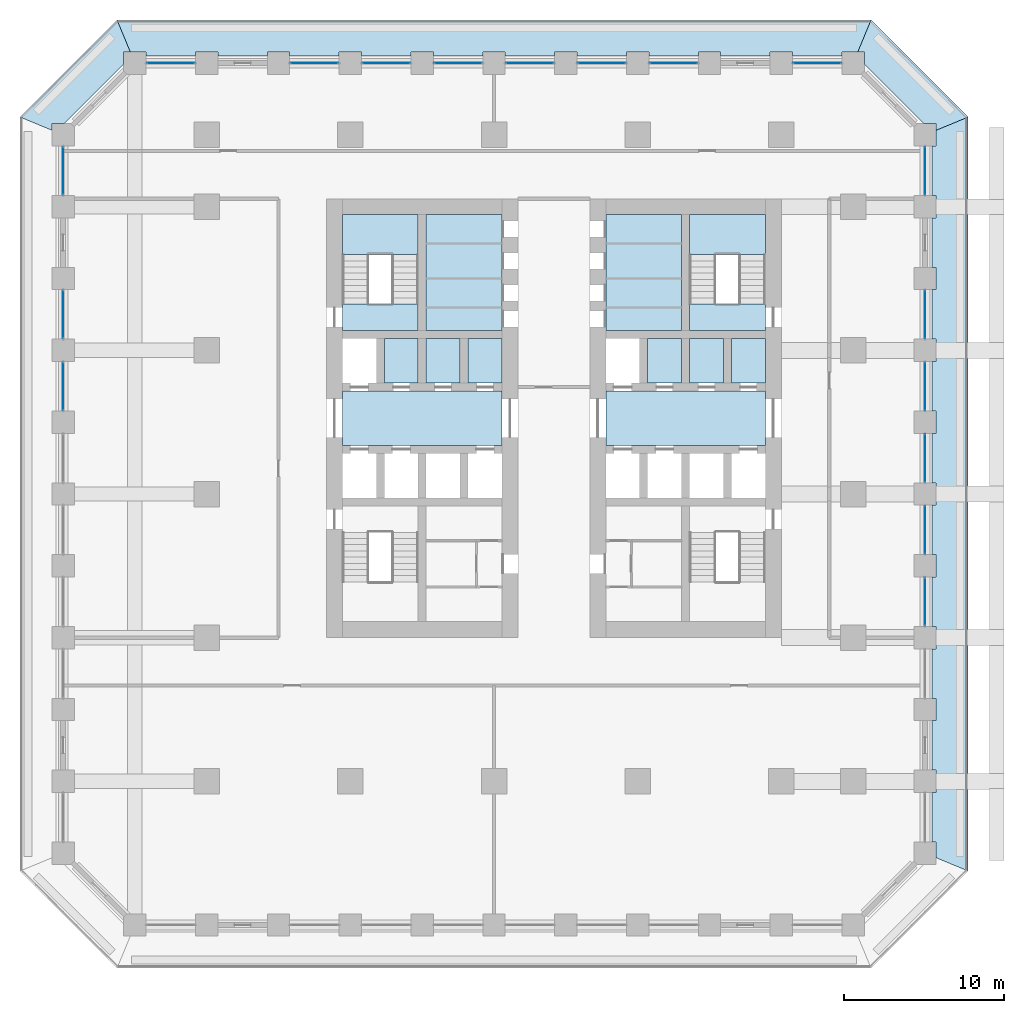
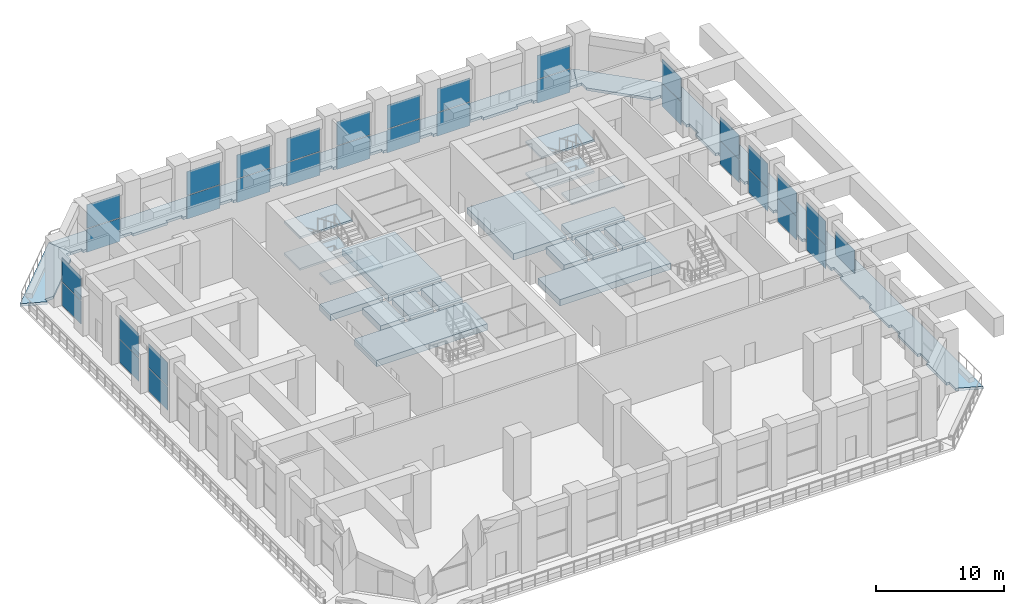
# One storey, part 11 of 21: 33 plates, 22 slabs, 19 elements without a shape of their own.
"""IFC4 building model written with IfcOpenShell, lengths in metres."""

import ifcopenshell
import ifcopenshell.guid

model = None  # the IFC model being written
_history = None  # IfcOwnerHistory: only IFC2X3 demands one
_inside = {}  # id of a spatial element -> (the spatial element, [elements in it])
_under = {}  # id of a project, library or spatial element -> (it, [spatial elements below it])
_declared = {}  # id of a project -> (the project, [libraries it declares])
_typed = {}  # id of a type object -> (the type object, [elements of that type])
_made_of = {}  # id of a material, layer set ... -> (it, [elements and type objects made of it])


def new_model(schema):
    """Start an empty IFC model of exactly this schema.

    Asked for "IFC4X3", IfcOpenShell would pick the latest addendum, in which some entities
    have other attributes; the version numbers below select the first issue.
    IFC2X3 requires an IfcOwnerHistory on every rooted entity: one is made here for all.
    """
    global model, _history
    if schema == "IFC4X3":
        model = ifcopenshell.file(schema_version=(4, 3, 0, 0))
    else:
        model = ifcopenshell.file(schema=schema)
    _inside.clear()
    _under.clear()
    _declared.clear()
    _typed.clear()
    _made_of.clear()
    _history = None
    if model.schema == "IFC2X3":
        org = make("IfcOrganization", Name="unknown")
        user = make(
            "IfcPersonAndOrganization",
            ThePerson=make("IfcPerson", FamilyName="unknown"),
            TheOrganization=org,
        )
        app = make(
            "IfcApplication",
            ApplicationDeveloper=org,
            Version="unknown",
            ApplicationFullName="unknown",
            ApplicationIdentifier="unknown",
        )
        _history = make(
            "IfcOwnerHistory",
            OwningUser=user,
            OwningApplication=app,
            ChangeAction="ADDED",
            CreationDate=0,
        )
    return model


def make(cls, **values):
    """One entity of the class cls with the attributes given. An attribute that is None is left unset."""
    return model.create_entity(
        cls, **{name: value for name, value in values.items() if value is not None}
    )


def rooted(cls, **values):
    """An entity with a GlobalId (a new one), such as an element, a storey or a relation."""
    return make(cls, GlobalId=ifcopenshell.guid.new(), OwnerHistory=_history, **values)


def si_unit(unit_type, name, prefix=None):
    """IfcSIUnit, for example si_unit("LENGTHUNIT", "METRE", prefix="MILLI")."""
    return make("IfcSIUnit", UnitType=unit_type, Prefix=prefix, Name=name)


def assignment(units):
    """IfcUnitAssignment: the units of a project."""
    return None if units is None else make("IfcUnitAssignment", Units=units)


def point(xyz):
    """IfcCartesianPoint."""
    return None if xyz is None else make("IfcCartesianPoint", Coordinates=xyz)


def direction(xyz):
    """IfcDirection."""
    return None if xyz is None else make("IfcDirection", DirectionRatios=xyz)


def frame(location, z_axis=None, x_axis=None):
    """IfcAxis2Placement3D, a coordinate frame: its origin and axes. An axis left out is left unset."""
    return make(
        "IfcAxis2Placement3D",
        Location=point(location),
        Axis=direction(z_axis),
        RefDirection=direction(x_axis),
    )


def frame_2d(location, x_axis=None):
    """IfcAxis2Placement2D, a coordinate frame in the plane: its origin and x axis."""
    return make(
        "IfcAxis2Placement2D", Location=point(location), RefDirection=direction(x_axis)
    )


def origin():
    """The frame at (0, 0, 0) with its axes left unset."""
    return frame((0.0, 0.0, 0.0))


def origin_2d():
    """The frame at (0, 0) in the plane with its x axis left unset."""
    return frame_2d((0.0, 0.0))


def place(relative_to, where):
    """IfcLocalPlacement: puts the frame where relative to a parent placement (None: the world)."""
    return make(
        "IfcLocalPlacement", PlacementRelTo=relative_to, RelativePlacement=where
    )


def context(
    kind, dimensions, precision=None, world=None, true_north=None, identifier=None
):
    """IfcGeometricRepresentationContext, for example the 3D "Model" context."""
    return make(
        "IfcGeometricRepresentationContext",
        ContextIdentifier=identifier,
        ContextType=kind,
        CoordinateSpaceDimension=dimensions,
        Precision=precision,
        WorldCoordinateSystem=world,
        TrueNorth=true_north,
    )


def subcontext(parent, identifier, kind, view, scale=None):
    """IfcGeometricRepresentationSubContext, for example "Body" below "Model"."""
    return make(
        "IfcGeometricRepresentationSubContext",
        ContextIdentifier=identifier,
        ContextType=kind,
        ParentContext=parent,
        TargetScale=scale,
        TargetView=view,
    )


def project(units=None, contexts=None):
    """IfcProject with its units and contexts."""
    return rooted(
        "IfcProject",
        Name="project",
        RepresentationContexts=contexts,
        UnitsInContext=assignment(units),
    )


def spatial(cls, under=None, at=None, **own):
    """A site, building, storey or space (cls), placed at a placement, below another one or the project."""
    s = rooted(cls, ObjectPlacement=at, **own)
    if under is not None:
        _under.setdefault(under.id(), (under, []))[1].append(s)
    return s


def polyline(points):
    """IfcPolyline through the points."""
    return make("IfcPolyline", Points=[point(p) for p in points])


def profile(cls, at=None, kind="AREA", **sizes):
    """A parametric profile (cls). Its sizes go by their IFC names, for example OverallWidth=200.0."""
    return make(cls, ProfileType=kind, Position=at, **sizes)


def rectangle(**sizes):
    """IfcRectangleProfileDef."""
    return profile("IfcRectangleProfileDef", **sizes)


def outline(outer, holes=None, kind="AREA"):
    """IfcArbitraryClosedProfileDef: a profile drawn as a closed curve; with holes, ...WithVoids."""
    if holes is None:
        return make("IfcArbitraryClosedProfileDef", ProfileType=kind, OuterCurve=outer)
    return make(
        "IfcArbitraryProfileDefWithVoids",
        ProfileType=kind,
        OuterCurve=outer,
        InnerCurves=holes,
    )


def extrude(swept, where, along, depth):
    """IfcExtrudedAreaSolid: the profile swept, set in the frame where, extruded along a direction by depth."""
    return make(
        "IfcExtrudedAreaSolid",
        SweptArea=swept,
        Position=where,
        ExtrudedDirection=direction(along),
        Depth=depth,
    )


def shape(context_of_items, identifier, shape_type, items):
    """IfcShapeRepresentation: the items that make up one representation, for example the "Body"."""
    return make(
        "IfcShapeRepresentation",
        ContextOfItems=context_of_items,
        RepresentationIdentifier=identifier,
        RepresentationType=shape_type,
        Items=items,
    )


def material(Name=None, Category=None):
    """IfcMaterial."""
    return make("IfcMaterial", Name=Name, Category=Category)


def layer(
    of_material, thickness, ventilated=None, Name=None, Category=None, Priority=None
):
    """IfcMaterialLayer: one layer of a wall or slab, of a material (None: an air gap)."""
    return make(
        "IfcMaterialLayer",
        Material=of_material,
        LayerThickness=thickness,
        IsVentilated=ventilated,
        Name=Name,
        Category=Category,
        Priority=Priority,
    )


def layer_set(layers, Name=None):
    """IfcMaterialLayerSet."""
    return make("IfcMaterialLayerSet", MaterialLayers=layers, LayerSetName=Name)


def made_of(thing, what):
    """Note that an element or type object is made of a material, layer set ...; save() writes the relation."""
    if what is not None:
        _made_of.setdefault(what.id(), (what, []))[1].append(thing)
    return thing


def type_object(cls, material=None, **own):
    """A type object (cls), such as IfcWallType, which elements share."""
    return made_of(rooted(cls, **own), material)


def element(
    cls,
    number,
    at=None,
    inside=None,
    cuts=None,
    type_object=None,
    material=None,
    context=None,
    identifier="Body",
    shape_type=None,
    held_by="IfcProductDefinitionShape",
    body=None,
    shapes=None,
    **own,
):
    """One element of the class cls, such as IfcWall. Its Tag is "e" and its number.

    at: its placement. inside: the storey or other place that contains it. cuts: it is an
    opening in that element (IfcRelVoidsElement). A single representation is given by context,
    identifier, shape_type and body (its items); several are given by shapes. held_by: the class
    of the entity that holds the representations. save() writes the other relations.
    """
    e = rooted(cls, Tag="e%d" % number, ObjectPlacement=at, **own)
    if body is not None:
        shapes = [shape(context, identifier, shape_type, body)]
    if shapes is not None:
        e.Representation = make(held_by, Representations=shapes)
    if inside is not None:
        _inside.setdefault(inside.id(), (inside, []))[1].append(e)
    if cuts is not None:
        rooted(
            "IfcRelVoidsElement", RelatingBuildingElement=cuts, RelatedOpeningElement=e
        )
    if type_object is not None:
        _typed.setdefault(type_object.id(), (type_object, []))[1].append(e)
    return made_of(e, material)


def aggregate(whole, parts):
    """IfcRelAggregates: a whole, such as a stair, and the parts it consists of."""
    return rooted("IfcRelAggregates", RelatingObject=whole, RelatedObjects=parts)


def save(model, path):
    """Write the relations noted so far, then the file.

    IfcRelAggregates (storeys below a building ...), IfcRelContainedInSpatialStructure (elements
    in a storey), IfcRelDefinesByType, IfcRelAssociatesMaterial and IfcRelDeclares: one each for
    every whole, place, type object, material and project.
    """
    for whole, parts in _under.values():
        aggregate(whole, parts)
    for where, things in _inside.values():
        rooted(
            "IfcRelContainedInSpatialStructure",
            RelatedElements=things,
            RelatingStructure=where,
        )
    for kind, things in _typed.values():
        rooted("IfcRelDefinesByType", RelatedObjects=things, RelatingType=kind)
    for what, things in _made_of.values():
        rooted("IfcRelAssociatesMaterial", RelatedObjects=things, RelatingMaterial=what)
    for by, libraries in _declared.values():
        rooted("IfcRelDeclares", RelatingContext=by, RelatedDefinitions=libraries)
    model.write(path)


model = new_model("IFC4")

# Units and contexts
model_context = context("Model", 3, precision=1e-05, world=origin(), true_north=direction((0.0, 1.0)))
body_context = subcontext(model_context, "Body", "Model", "MODEL_VIEW")
ifc_project = project(units=[si_unit("LENGTHUNIT", "METRE"), si_unit("AREAUNIT", "SQUARE_METRE"), si_unit("VOLUMEUNIT", "CUBIC_METRE"), si_unit("PLANEANGLEUNIT", "RADIAN"), si_unit("MASSUNIT", "GRAM", prefix="KILO")], contexts=[model_context])

# Site, building, storey
site_placement = place(None, origin())
site = spatial("IfcSite", under=ifc_project, at=site_placement, CompositionType="ELEMENT")
building_placement = place(site_placement, origin())
building = spatial("IfcBuilding", under=site, at=building_placement, Name="Corbel Stack Research Tower", CompositionType="ELEMENT")
storey_placement = place(building_placement, frame((0.0, 0.0, 35.89990234375)))
storey = spatial("IfcBuildingStorey", under=building, at=storey_placement, Name="L08", CompositionType="ELEMENT", Elevation=35.89990234375)

# Curtain wall, plate
ifc_material_1 = material(Name="Aluminium frame, clear glass", Category="aluminium")
curtain_wall_type = type_object("IfcCurtainWallType", Name="Amenity floor curtain wall CW2", PredefinedType="NOTDEFINED", material=ifc_material_1)
curtain_wall_1_placement = place(storey_placement, origin())
curtain_wall_1 = element("IfcCurtainWall", 1, at=curtain_wall_1_placement, inside=storey, type_object=curtain_wall_type, Name="Curtain wall CW2 L08 E04", PredefinedType="NOTDEFINED")
ifc_material_2 = material(Name="Clear glass", Category="glass")
ifc_layer_1 = layer(ifc_material_2, 0.028076171875)
ifc_layer_set_1 = layer_set([ifc_layer_1], Name="Clear glass")
plate_type = type_object("IfcPlateType", Name="Clear glazing 28", PredefinedType="CURTAIN_PANEL", material=ifc_layer_set_1)
plate_1_placement = place(storey_placement, frame((27.0, -6.75, 2.330078125), z_axis=(0.0, 0.0, 1.0), x_axis=(0.0, 1.0, 0.0)))
plate_1 = element("IfcPlate", 2, at=plate_1_placement, type_object=plate_type, Name="CW2 L08 E04 panel 1.2", PredefinedType="CURTAIN_PANEL", context=body_context, shape_type="SweptSolid", body=[
    extrude(rectangle(XDim=2.97998046875, YDim=0.028076171875, at=origin_2d()), origin(), (0.0, 0.0, 1.0), 2.260009765625),
])
aggregate(curtain_wall_1, [plate_1])

# Curtain wall, plates
curtain_wall_2_placement = place(storey_placement, origin())
curtain_wall_2 = element("IfcCurtainWall", 3, at=curtain_wall_2_placement, inside=storey, type_object=curtain_wall_type, Name="Curtain wall CW2 L08 E05", PredefinedType="NOTDEFINED")
plate_2_placement = place(storey_placement, frame((27.0, -2.25, 0.06005859375), z_axis=(0.0, 0.0, 1.0), x_axis=(0.0, 1.0, 0.0)))
plate_2 = element("IfcPlate", 4, at=plate_2_placement, type_object=plate_type, Name="CW2 L08 E05 panel 1.1", PredefinedType="CURTAIN_PANEL", context=body_context, shape_type="SweptSolid", body=[
    extrude(rectangle(XDim=2.97998046875, YDim=0.028076171875, at=origin_2d()), origin(), (0.0, 0.0, 1.0), 2.2099609375),
])
plate_3_placement = place(storey_placement, frame((27.0, -2.25, 2.330078125), z_axis=(0.0, 0.0, 1.0), x_axis=(0.0, 1.0, 0.0)))
plate_3 = element("IfcPlate", 5, at=plate_3_placement, type_object=plate_type, Name="CW2 L08 E05 panel 1.2", PredefinedType="CURTAIN_PANEL", context=body_context, shape_type="SweptSolid", body=[
    extrude(rectangle(XDim=2.97998046875, YDim=0.028076171875, at=origin_2d()), origin(), (0.0, 0.0, 1.0), 2.260009765625),
])
aggregate(curtain_wall_2, [plate_2, plate_3])

curtain_wall_3_placement = place(storey_placement, origin())
curtain_wall_3 = element("IfcCurtainWall", 6, at=curtain_wall_3_placement, inside=storey, type_object=curtain_wall_type, Name="Curtain wall CW2 L08 E06", PredefinedType="NOTDEFINED")
plate_4_placement = place(storey_placement, frame((27.0, 2.25, 0.06005859375), z_axis=(0.0, 0.0, 1.0), x_axis=(0.0, 1.0, 0.0)))
plate_4 = element("IfcPlate", 7, at=plate_4_placement, type_object=plate_type, Name="CW2 L08 E06 panel 1.1", PredefinedType="CURTAIN_PANEL", context=body_context, shape_type="SweptSolid", body=[
    extrude(rectangle(XDim=2.97998046875, YDim=0.028076171875, at=origin_2d()), origin(), (0.0, 0.0, 1.0), 2.2099609375),
])
plate_5_placement = place(storey_placement, frame((27.0, 2.25, 2.330078125), z_axis=(0.0, 0.0, 1.0), x_axis=(0.0, 1.0, 0.0)))
plate_5 = element("IfcPlate", 8, at=plate_5_placement, type_object=plate_type, Name="CW2 L08 E06 panel 1.2", PredefinedType="CURTAIN_PANEL", context=body_context, shape_type="SweptSolid", body=[
    extrude(rectangle(XDim=2.97998046875, YDim=0.028076171875, at=origin_2d()), origin(), (0.0, 0.0, 1.0), 2.260009765625),
])
aggregate(curtain_wall_3, [plate_4, plate_5])

curtain_wall_4_placement = place(storey_placement, origin())
curtain_wall_4 = element("IfcCurtainWall", 9, at=curtain_wall_4_placement, inside=storey, type_object=curtain_wall_type, Name="Curtain wall CW2 L08 E07", PredefinedType="NOTDEFINED")
plate_6_placement = place(storey_placement, frame((27.0, 6.75, 0.06005859375), z_axis=(0.0, 0.0, 1.0), x_axis=(0.0, 1.0, 0.0)))
plate_6 = element("IfcPlate", 10, at=plate_6_placement, type_object=plate_type, Name="CW2 L08 E07 panel 1.1", PredefinedType="CURTAIN_PANEL", context=body_context, shape_type="SweptSolid", body=[
    extrude(rectangle(XDim=2.97998046875, YDim=0.028076171875, at=origin_2d()), origin(), (0.0, 0.0, 1.0), 2.2099609375),
])
plate_7_placement = place(storey_placement, frame((27.0, 6.75, 2.330078125), z_axis=(0.0, 0.0, 1.0), x_axis=(0.0, 1.0, 0.0)))
plate_7 = element("IfcPlate", 11, at=plate_7_placement, type_object=plate_type, Name="CW2 L08 E07 panel 1.2", PredefinedType="CURTAIN_PANEL", context=body_context, shape_type="SweptSolid", body=[
    extrude(rectangle(XDim=2.97998046875, YDim=0.028076171875, at=origin_2d()), origin(), (0.0, 0.0, 1.0), 2.260009765625),
])
aggregate(curtain_wall_4, [plate_6, plate_7])

curtain_wall_5_placement = place(storey_placement, origin())
curtain_wall_5 = element("IfcCurtainWall", 12, at=curtain_wall_5_placement, inside=storey, type_object=curtain_wall_type, Name="Curtain wall CW2 L08 E08", PredefinedType="NOTDEFINED")
plate_8_placement = place(storey_placement, frame((27.0, 11.25, 0.06005859375), z_axis=(0.0, 0.0, 1.0), x_axis=(0.0, 1.0, 0.0)))
plate_8 = element("IfcPlate", 13, at=plate_8_placement, type_object=plate_type, Name="CW2 L08 E08 panel 1.1", PredefinedType="CURTAIN_PANEL", context=body_context, shape_type="SweptSolid", body=[
    extrude(rectangle(XDim=2.97998046875, YDim=0.028076171875, at=origin_2d()), origin(), (0.0, 0.0, 1.0), 2.2099609375),
])
plate_9_placement = place(storey_placement, frame((27.0, 11.25, 2.330078125), z_axis=(0.0, 0.0, 1.0), x_axis=(0.0, 1.0, 0.0)))
plate_9 = element("IfcPlate", 14, at=plate_9_placement, type_object=plate_type, Name="CW2 L08 E08 panel 1.2", PredefinedType="CURTAIN_PANEL", context=body_context, shape_type="SweptSolid", body=[
    extrude(rectangle(XDim=2.97998046875, YDim=0.028076171875, at=origin_2d()), origin(), (0.0, 0.0, 1.0), 2.260009765625),
])
aggregate(curtain_wall_5, [plate_8, plate_9])

curtain_wall_6_placement = place(storey_placement, origin())
curtain_wall_6 = element("IfcCurtainWall", 15, at=curtain_wall_6_placement, inside=storey, type_object=curtain_wall_type, Name="Curtain wall CW2 L08 E10", PredefinedType="NOTDEFINED")
plate_10_placement = place(storey_placement, frame((27.0, 20.25, 0.06005859375), z_axis=(0.0, 0.0, 1.0), x_axis=(0.0, 1.0, 0.0)))
plate_10 = element("IfcPlate", 16, at=plate_10_placement, type_object=plate_type, Name="CW2 L08 E10 panel 1.1", PredefinedType="CURTAIN_PANEL", context=body_context, shape_type="SweptSolid", body=[
    extrude(rectangle(XDim=2.97998046875, YDim=0.028076171875, at=origin_2d()), origin(), (0.0, 0.0, 1.0), 2.2099609375),
])
plate_11_placement = place(storey_placement, frame((27.0, 20.25, 2.330078125), z_axis=(0.0, 0.0, 1.0), x_axis=(0.0, 1.0, 0.0)))
plate_11 = element("IfcPlate", 17, at=plate_11_placement, type_object=plate_type, Name="CW2 L08 E10 panel 1.2", PredefinedType="CURTAIN_PANEL", context=body_context, shape_type="SweptSolid", body=[
    extrude(rectangle(XDim=2.97998046875, YDim=0.028076171875, at=origin_2d()), origin(), (0.0, 0.0, 1.0), 2.260009765625),
])
aggregate(curtain_wall_6, [plate_10, plate_11])

curtain_wall_7_placement = place(storey_placement, origin())
curtain_wall_7 = element("IfcCurtainWall", 18, at=curtain_wall_7_placement, inside=storey, type_object=curtain_wall_type, Name="Curtain wall CW2 L08 N01", PredefinedType="NOTDEFINED")
plate_12_placement = place(storey_placement, frame((20.25, 27.0, 0.06005859375), z_axis=(0.0, 0.0, 1.0), x_axis=(-1.0, 0.0, 0.0)))
plate_12 = element("IfcPlate", 19, at=plate_12_placement, type_object=plate_type, Name="CW2 L08 N01 panel 1.1", PredefinedType="CURTAIN_PANEL", context=body_context, shape_type="SweptSolid", body=[
    extrude(rectangle(XDim=2.97998046875, YDim=0.028076171875, at=origin_2d()), origin(), (0.0, 0.0, 1.0), 2.2099609375),
])
plate_13_placement = place(storey_placement, frame((20.25, 27.0, 2.330078125), z_axis=(0.0, 0.0, 1.0), x_axis=(-1.0, 0.0, 0.0)))
plate_13 = element("IfcPlate", 20, at=plate_13_placement, type_object=plate_type, Name="CW2 L08 N01 panel 1.2", PredefinedType="CURTAIN_PANEL", context=body_context, shape_type="SweptSolid", body=[
    extrude(rectangle(XDim=2.97998046875, YDim=0.028076171875, at=origin_2d()), origin(), (0.0, 0.0, 1.0), 2.260009765625),
])
aggregate(curtain_wall_7, [plate_12, plate_13])

curtain_wall_8_placement = place(storey_placement, origin())
curtain_wall_8 = element("IfcCurtainWall", 21, at=curtain_wall_8_placement, inside=storey, type_object=curtain_wall_type, Name="Curtain wall CW2 L08 N03", PredefinedType="NOTDEFINED")
plate_14_placement = place(storey_placement, frame((11.25, 27.0, 0.06005859375), z_axis=(0.0, 0.0, 1.0), x_axis=(-1.0, 0.0, 0.0)))
plate_14 = element("IfcPlate", 22, at=plate_14_placement, type_object=plate_type, Name="CW2 L08 N03 panel 1.1", PredefinedType="CURTAIN_PANEL", context=body_context, shape_type="SweptSolid", body=[
    extrude(rectangle(XDim=2.97998046875, YDim=0.028076171875, at=origin_2d()), origin(), (0.0, 0.0, 1.0), 2.2099609375),
])
plate_15_placement = place(storey_placement, frame((11.25, 27.0, 2.330078125), z_axis=(0.0, 0.0, 1.0), x_axis=(-1.0, 0.0, 0.0)))
plate_15 = element("IfcPlate", 23, at=plate_15_placement, type_object=plate_type, Name="CW2 L08 N03 panel 1.2", PredefinedType="CURTAIN_PANEL", context=body_context, shape_type="SweptSolid", body=[
    extrude(rectangle(XDim=2.97998046875, YDim=0.028076171875, at=origin_2d()), origin(), (0.0, 0.0, 1.0), 2.260009765625),
])
aggregate(curtain_wall_8, [plate_14, plate_15])

curtain_wall_9_placement = place(storey_placement, origin())
curtain_wall_9 = element("IfcCurtainWall", 24, at=curtain_wall_9_placement, inside=storey, type_object=curtain_wall_type, Name="Curtain wall CW2 L08 N04", PredefinedType="NOTDEFINED")
plate_16_placement = place(storey_placement, frame((6.75, 27.0, 0.06005859375), z_axis=(0.0, 0.0, 1.0), x_axis=(-1.0, 0.0, 0.0)))
plate_16 = element("IfcPlate", 25, at=plate_16_placement, type_object=plate_type, Name="CW2 L08 N04 panel 1.1", PredefinedType="CURTAIN_PANEL", context=body_context, shape_type="SweptSolid", body=[
    extrude(rectangle(XDim=2.97998046875, YDim=0.028076171875, at=origin_2d()), origin(), (0.0, 0.0, 1.0), 2.2099609375),
])
plate_17_placement = place(storey_placement, frame((6.75, 27.0, 2.330078125), z_axis=(0.0, 0.0, 1.0), x_axis=(-1.0, 0.0, 0.0)))
plate_17 = element("IfcPlate", 26, at=plate_17_placement, type_object=plate_type, Name="CW2 L08 N04 panel 1.2", PredefinedType="CURTAIN_PANEL", context=body_context, shape_type="SweptSolid", body=[
    extrude(rectangle(XDim=2.97998046875, YDim=0.028076171875, at=origin_2d()), origin(), (0.0, 0.0, 1.0), 2.260009765625),
])
aggregate(curtain_wall_9, [plate_16, plate_17])

curtain_wall_10_placement = place(storey_placement, origin())
curtain_wall_10 = element("IfcCurtainWall", 27, at=curtain_wall_10_placement, inside=storey, type_object=curtain_wall_type, Name="Curtain wall CW2 L08 N05", PredefinedType="NOTDEFINED")
plate_18_placement = place(storey_placement, frame((2.25, 27.0, 0.06005859375), z_axis=(0.0, 0.0, 1.0), x_axis=(-1.0, 0.0, 0.0)))
plate_18 = element("IfcPlate", 28, at=plate_18_placement, type_object=plate_type, Name="CW2 L08 N05 panel 1.1", PredefinedType="CURTAIN_PANEL", context=body_context, shape_type="SweptSolid", body=[
    extrude(rectangle(XDim=2.97998046875, YDim=0.028076171875, at=origin_2d()), origin(), (0.0, 0.0, 1.0), 2.2099609375),
])
plate_19_placement = place(storey_placement, frame((2.25, 27.0, 2.330078125), z_axis=(0.0, 0.0, 1.0), x_axis=(-1.0, 0.0, 0.0)))
plate_19 = element("IfcPlate", 29, at=plate_19_placement, type_object=plate_type, Name="CW2 L08 N05 panel 1.2", PredefinedType="CURTAIN_PANEL", context=body_context, shape_type="SweptSolid", body=[
    extrude(rectangle(XDim=2.97998046875, YDim=0.028076171875, at=origin_2d()), origin(), (0.0, 0.0, 1.0), 2.260009765625),
])
aggregate(curtain_wall_10, [plate_18, plate_19])

curtain_wall_11_placement = place(storey_placement, origin())
curtain_wall_11 = element("IfcCurtainWall", 30, at=curtain_wall_11_placement, inside=storey, type_object=curtain_wall_type, Name="Curtain wall CW2 L08 N06", PredefinedType="NOTDEFINED")
plate_20_placement = place(storey_placement, frame((-2.25, 27.0, 0.06005859375), z_axis=(0.0, 0.0, 1.0), x_axis=(-1.0, 0.0, 0.0)))
plate_20 = element("IfcPlate", 31, at=plate_20_placement, type_object=plate_type, Name="CW2 L08 N06 panel 1.1", PredefinedType="CURTAIN_PANEL", context=body_context, shape_type="SweptSolid", body=[
    extrude(rectangle(XDim=2.97998046875, YDim=0.028076171875, at=origin_2d()), origin(), (0.0, 0.0, 1.0), 2.2099609375),
])
plate_21_placement = place(storey_placement, frame((-2.25, 27.0, 2.330078125), z_axis=(0.0, 0.0, 1.0), x_axis=(-1.0, 0.0, 0.0)))
plate_21 = element("IfcPlate", 32, at=plate_21_placement, type_object=plate_type, Name="CW2 L08 N06 panel 1.2", PredefinedType="CURTAIN_PANEL", context=body_context, shape_type="SweptSolid", body=[
    extrude(rectangle(XDim=2.97998046875, YDim=0.028076171875, at=origin_2d()), origin(), (0.0, 0.0, 1.0), 2.260009765625),
])
aggregate(curtain_wall_11, [plate_20, plate_21])

curtain_wall_12_placement = place(storey_placement, origin())
curtain_wall_12 = element("IfcCurtainWall", 33, at=curtain_wall_12_placement, inside=storey, type_object=curtain_wall_type, Name="Curtain wall CW2 L08 N07", PredefinedType="NOTDEFINED")
plate_22_placement = place(storey_placement, frame((-6.75, 27.0, 0.06005859375), z_axis=(0.0, 0.0, 1.0), x_axis=(-1.0, 0.0, 0.0)))
plate_22 = element("IfcPlate", 34, at=plate_22_placement, type_object=plate_type, Name="CW2 L08 N07 panel 1.1", PredefinedType="CURTAIN_PANEL", context=body_context, shape_type="SweptSolid", body=[
    extrude(rectangle(XDim=2.97998046875, YDim=0.028076171875, at=origin_2d()), origin(), (0.0, 0.0, 1.0), 2.2099609375),
])
plate_23_placement = place(storey_placement, frame((-6.75, 27.0, 2.330078125), z_axis=(0.0, 0.0, 1.0), x_axis=(-1.0, 0.0, 0.0)))
plate_23 = element("IfcPlate", 35, at=plate_23_placement, type_object=plate_type, Name="CW2 L08 N07 panel 1.2", PredefinedType="CURTAIN_PANEL", context=body_context, shape_type="SweptSolid", body=[
    extrude(rectangle(XDim=2.97998046875, YDim=0.028076171875, at=origin_2d()), origin(), (0.0, 0.0, 1.0), 2.260009765625),
])
aggregate(curtain_wall_12, [plate_22, plate_23])

curtain_wall_13_placement = place(storey_placement, origin())
curtain_wall_13 = element("IfcCurtainWall", 36, at=curtain_wall_13_placement, inside=storey, type_object=curtain_wall_type, Name="Curtain wall CW2 L08 N08", PredefinedType="NOTDEFINED")
plate_24_placement = place(storey_placement, frame((-11.25, 27.0, 0.06005859375), z_axis=(0.0, 0.0, 1.0), x_axis=(-1.0, 0.0, 0.0)))
plate_24 = element("IfcPlate", 37, at=plate_24_placement, type_object=plate_type, Name="CW2 L08 N08 panel 1.1", PredefinedType="CURTAIN_PANEL", context=body_context, shape_type="SweptSolid", body=[
    extrude(rectangle(XDim=2.97998046875, YDim=0.028076171875, at=origin_2d()), origin(), (0.0, 0.0, 1.0), 2.2099609375),
])
plate_25_placement = place(storey_placement, frame((-11.25, 27.0, 2.330078125), z_axis=(0.0, 0.0, 1.0), x_axis=(-1.0, 0.0, 0.0)))
plate_25 = element("IfcPlate", 38, at=plate_25_placement, type_object=plate_type, Name="CW2 L08 N08 panel 1.2", PredefinedType="CURTAIN_PANEL", context=body_context, shape_type="SweptSolid", body=[
    extrude(rectangle(XDim=2.97998046875, YDim=0.028076171875, at=origin_2d()), origin(), (0.0, 0.0, 1.0), 2.260009765625),
])
aggregate(curtain_wall_13, [plate_24, plate_25])

curtain_wall_14_placement = place(storey_placement, origin())
curtain_wall_14 = element("IfcCurtainWall", 39, at=curtain_wall_14_placement, inside=storey, type_object=curtain_wall_type, Name="Curtain wall CW2 L08 N10", PredefinedType="NOTDEFINED")
plate_26_placement = place(storey_placement, frame((-20.25, 27.0, 0.06005859375), z_axis=(0.0, 0.0, 1.0), x_axis=(-1.0, 0.0, 0.0)))
plate_26 = element("IfcPlate", 40, at=plate_26_placement, type_object=plate_type, Name="CW2 L08 N10 panel 1.1", PredefinedType="CURTAIN_PANEL", context=body_context, shape_type="SweptSolid", body=[
    extrude(rectangle(XDim=2.97998046875, YDim=0.028076171875, at=origin_2d()), origin(), (0.0, 0.0, 1.0), 2.2099609375),
])
plate_27_placement = place(storey_placement, frame((-20.25, 27.0, 2.330078125), z_axis=(0.0, 0.0, 1.0), x_axis=(-1.0, 0.0, 0.0)))
plate_27 = element("IfcPlate", 41, at=plate_27_placement, type_object=plate_type, Name="CW2 L08 N10 panel 1.2", PredefinedType="CURTAIN_PANEL", context=body_context, shape_type="SweptSolid", body=[
    extrude(rectangle(XDim=2.97998046875, YDim=0.028076171875, at=origin_2d()), origin(), (0.0, 0.0, 1.0), 2.260009765625),
])
aggregate(curtain_wall_14, [plate_26, plate_27])

curtain_wall_15_placement = place(storey_placement, origin())
curtain_wall_15 = element("IfcCurtainWall", 42, at=curtain_wall_15_placement, inside=storey, type_object=curtain_wall_type, Name="Curtain wall CW2 L08 W01", PredefinedType="NOTDEFINED")
plate_28_placement = place(storey_placement, frame((-27.0, 20.25, 0.06005859375), z_axis=(0.0, 0.0, 1.0), x_axis=(0.0, -1.0, 0.0)))
plate_28 = element("IfcPlate", 43, at=plate_28_placement, type_object=plate_type, Name="CW2 L08 W01 panel 1.1", PredefinedType="CURTAIN_PANEL", context=body_context, shape_type="SweptSolid", body=[
    extrude(rectangle(XDim=2.97998046875, YDim=0.028076171875, at=origin_2d()), origin(), (0.0, 0.0, 1.0), 2.2099609375),
])
plate_29_placement = place(storey_placement, frame((-27.0, 20.25, 2.330078125), z_axis=(0.0, 0.0, 1.0), x_axis=(0.0, -1.0, 0.0)))
plate_29 = element("IfcPlate", 44, at=plate_29_placement, type_object=plate_type, Name="CW2 L08 W01 panel 1.2", PredefinedType="CURTAIN_PANEL", context=body_context, shape_type="SweptSolid", body=[
    extrude(rectangle(XDim=2.97998046875, YDim=0.028076171875, at=origin_2d()), origin(), (0.0, 0.0, 1.0), 2.260009765625),
])
aggregate(curtain_wall_15, [plate_28, plate_29])

curtain_wall_16_placement = place(storey_placement, origin())
curtain_wall_16 = element("IfcCurtainWall", 45, at=curtain_wall_16_placement, inside=storey, type_object=curtain_wall_type, Name="Curtain wall CW2 L08 W03", PredefinedType="NOTDEFINED")
plate_30_placement = place(storey_placement, frame((-27.0, 11.25, 0.06005859375), z_axis=(0.0, 0.0, 1.0), x_axis=(0.0, -1.0, 0.0)))
plate_30 = element("IfcPlate", 46, at=plate_30_placement, type_object=plate_type, Name="CW2 L08 W03 panel 1.1", PredefinedType="CURTAIN_PANEL", context=body_context, shape_type="SweptSolid", body=[
    extrude(rectangle(XDim=2.97998046875, YDim=0.028076171875, at=origin_2d()), origin(), (0.0, 0.0, 1.0), 2.2099609375),
])
plate_31_placement = place(storey_placement, frame((-27.0, 11.25, 2.330078125), z_axis=(0.0, 0.0, 1.0), x_axis=(0.0, -1.0, 0.0)))
plate_31 = element("IfcPlate", 47, at=plate_31_placement, type_object=plate_type, Name="CW2 L08 W03 panel 1.2", PredefinedType="CURTAIN_PANEL", context=body_context, shape_type="SweptSolid", body=[
    extrude(rectangle(XDim=2.97998046875, YDim=0.028076171875, at=origin_2d()), origin(), (0.0, 0.0, 1.0), 2.260009765625),
])
aggregate(curtain_wall_16, [plate_30, plate_31])

curtain_wall_17_placement = place(storey_placement, origin())
curtain_wall_17 = element("IfcCurtainWall", 48, at=curtain_wall_17_placement, inside=storey, type_object=curtain_wall_type, Name="Curtain wall CW2 L08 W04", PredefinedType="NOTDEFINED")
plate_32_placement = place(storey_placement, frame((-27.0, 6.75, 0.06005859375), z_axis=(0.0, 0.0, 1.0), x_axis=(0.0, -1.0, 0.0)))
plate_32 = element("IfcPlate", 49, at=plate_32_placement, type_object=plate_type, Name="CW2 L08 W04 panel 1.1", PredefinedType="CURTAIN_PANEL", context=body_context, shape_type="SweptSolid", body=[
    extrude(rectangle(XDim=2.97998046875, YDim=0.028076171875, at=origin_2d()), origin(), (0.0, 0.0, 1.0), 2.2099609375),
])
plate_33_placement = place(storey_placement, frame((-27.0, 6.75, 2.330078125), z_axis=(0.0, 0.0, 1.0), x_axis=(0.0, -1.0, 0.0)))
plate_33 = element("IfcPlate", 50, at=plate_33_placement, type_object=plate_type, Name="CW2 L08 W04 panel 1.2", PredefinedType="CURTAIN_PANEL", context=body_context, shape_type="SweptSolid", body=[
    extrude(rectangle(XDim=2.97998046875, YDim=0.028076171875, at=origin_2d()), origin(), (0.0, 0.0, 1.0), 2.260009765625),
])
aggregate(curtain_wall_17, [plate_32, plate_33])

# Slabs
ifc_material_3 = material(Name="Concrete C45/55", Category="concrete")
ifc_layer_2 = layer(ifc_material_3, 0.25)
ifc_layer_set_2 = layer_set([ifc_layer_2], Name="Concrete C45/55")
slab_type_1 = type_object("IfcSlabType", Name="PT balcony slab 250 C45/55", PredefinedType="FLOOR", material=ifc_layer_set_2)
slab_1_placement = place(storey_placement, frame((0.0, 0.0, -0.25)))
element("IfcSlab", 51, at=slab_1_placement, inside=storey, type_object=slab_type_1, Name="Loggia slab L08 E", PredefinedType="FLOOR", context=body_context, shape_type="SweptSolid", body=[
    extrude(outline(polyline([(27.699951171875, 22.789794921875), (27.699951171875, 21.800048828125), (27.449951171875, 21.800048828125), (27.449951171875, 18.699951171875), (27.699951171875, 18.699951171875), (27.699951171875, 17.300048828125), (27.449951171875, 17.300048828125), (27.449951171875, 14.199951171875), (27.699951171875, 14.199951171875), (27.699951171875, 12.800048828125), (27.449951171875, 12.800048828125), (27.449951171875, 9.699951171875), (27.699951171875, 9.699951171875), (27.699951171875, 8.300048828125), (27.449951171875, 8.300048828125), (27.449951171875, 5.199951171875), (27.699951171875, 5.199951171875), (27.699951171875, 3.800048828125), (27.449951171875, 3.800048828125), (27.449951171875, 0.699951171875), (27.699951171875, 0.699951171875), (27.699951171875, -0.699951171875), (27.449951171875, -0.699951171875), (27.449951171875, -3.800048828125), (27.699951171875, -3.800048828125), (27.699951171875, -5.199951171875), (27.449951171875, -5.199951171875), (27.449951171875, -8.300048828125), (27.699951171875, -8.300048828125), (27.699951171875, -9.699951171875), (27.449951171875, -9.699951171875), (27.449951171875, -12.800048828125), (27.699951171875, -12.800048828125), (27.699951171875, -14.199951171875), (27.449951171875, -14.199951171875), (27.449951171875, -17.300048828125), (27.699951171875, -17.300048828125), (27.699951171875, -18.699951171875), (27.449951171875, -18.699951171875), (27.449951171875, -21.800048828125), (27.699951171875, -21.800048828125), (27.699951171875, -22.789794921875), (29.699951171875, -23.618408203125), (29.699951171875, 23.618408203125), (27.699951171875, 22.789794921875)])), origin(), (0.0, 0.0, 1.0), 0.25),
])
slab_2_placement = place(storey_placement, frame((0.0, 0.0, -0.25)))
element("IfcSlab", 52, at=slab_2_placement, inside=storey, type_object=slab_type_1, Name="Loggia slab L08 NE", PredefinedType="FLOOR", context=body_context, shape_type="SweptSolid", body=[
    extrude(outline(polyline([(22.789794921875, 27.699951171875), (23.199951171875, 27.699951171875), (23.199951171875, 26.936279296875), (26.936279296875, 23.199951171875), (27.699951171875, 23.199951171875), (27.699951171875, 22.789794921875), (29.699951171875, 23.618408203125), (23.618408203125, 29.699951171875), (22.789794921875, 27.699951171875)])), origin(), (0.0, 0.0, 1.0), 0.25),
])
slab_3_placement = place(storey_placement, frame((0.0, 0.0, -0.25)))
element("IfcSlab", 53, at=slab_3_placement, inside=storey, type_object=slab_type_1, Name="Loggia slab L08 N", PredefinedType="FLOOR", context=body_context, shape_type="SweptSolid", body=[
    extrude(outline(polyline([(-22.789794921875, 27.699951171875), (-21.800048828125, 27.699951171875), (-21.800048828125, 27.449951171875), (-18.699951171875, 27.449951171875), (-18.699951171875, 27.699951171875), (-17.300048828125, 27.699951171875), (-17.300048828125, 27.449951171875), (-14.199951171875, 27.449951171875), (-14.199951171875, 27.699951171875), (-12.800048828125, 27.699951171875), (-12.800048828125, 27.449951171875), (-9.699951171875, 27.449951171875), (-9.699951171875, 27.699951171875), (-8.300048828125, 27.699951171875), (-8.300048828125, 27.449951171875), (-5.199951171875, 27.449951171875), (-5.199951171875, 27.699951171875), (-3.800048828125, 27.699951171875), (-3.800048828125, 27.449951171875), (-0.699951171875, 27.449951171875), (-0.699951171875, 27.699951171875), (0.699951171875, 27.699951171875), (0.699951171875, 27.449951171875), (3.800048828125, 27.449951171875), (3.800048828125, 27.699951171875), (5.199951171875, 27.699951171875), (5.199951171875, 27.449951171875), (8.300048828125, 27.449951171875), (8.300048828125, 27.699951171875), (9.699951171875, 27.699951171875), (9.699951171875, 27.449951171875), (12.800048828125, 27.449951171875), (12.800048828125, 27.699951171875), (14.199951171875, 27.699951171875), (14.199951171875, 27.449951171875), (17.300048828125, 27.449951171875), (17.300048828125, 27.699951171875), (18.699951171875, 27.699951171875), (18.699951171875, 27.449951171875), (21.800048828125, 27.449951171875), (21.800048828125, 27.699951171875), (22.789794921875, 27.699951171875), (23.618408203125, 29.699951171875), (-23.618408203125, 29.699951171875), (-22.789794921875, 27.699951171875)])), origin(), (0.0, 0.0, 1.0), 0.25),
])
slab_4_placement = place(storey_placement, frame((0.0, 0.0, -0.25)))
element("IfcSlab", 54, at=slab_4_placement, inside=storey, type_object=slab_type_1, Name="Loggia slab L08 NW", PredefinedType="FLOOR", context=body_context, shape_type="SweptSolid", body=[
    extrude(outline(polyline([(-27.699951171875, 22.789794921875), (-27.699951171875, 23.199951171875), (-26.936279296875, 23.199951171875), (-23.199951171875, 26.936279296875), (-23.199951171875, 27.699951171875), (-22.789794921875, 27.699951171875), (-23.618408203125, 29.699951171875), (-29.699951171875, 23.618408203125), (-27.699951171875, 22.789794921875)])), origin(), (0.0, 0.0, 1.0), 0.25),
])
ifc_material_4 = material(Name="Concrete C45/55", Category="concrete")
ifc_layer_3 = layer(ifc_material_4, 0.60009765625)
ifc_layer_set_3 = layer_set([ifc_layer_3], Name="Concrete C45/55")
slab_type_2 = type_object("IfcSlabType", Name="PT-600", PredefinedType="FLOOR", material=ifc_layer_set_3)
slab_5_placement = place(storey_placement, frame((0.0, 0.0, -0.599853515625)))
element("IfcSlab", 55, at=slab_5_placement, inside=storey, type_object=slab_type_2, Name="West core floor L08", PredefinedType="FLOOR", context=body_context, shape_type="SweptSolid", body=[
    extrude(outline(polyline([(-9.5, 6.449951171875), (-9.5, 3.050048828125), (0.5, 3.050048828125), (0.5, 6.449951171875), (-9.5, 6.449951171875)])), origin(), (0.0, 0.0, 1.0), 0.599853515625),
])
slab_6_placement = place(storey_placement, frame((0.0, 0.0, -0.599853515625)))
element("IfcSlab", 56, at=slab_6_placement, inside=storey, type_object=slab_type_2, Name="West core floor L08", PredefinedType="FLOOR", context=body_context, shape_type="SweptSolid", body=[
    extrude(outline(polyline([(-6.875, 6.949951171875), (-4.75, 6.949951171875), (-4.75, 9.75), (-6.875, 9.75), (-6.875, 6.949951171875)])), origin(), (0.0, 0.0, 1.0), 0.599853515625),
])
slab_7_placement = place(storey_placement, frame((0.0, 0.0, -0.599853515625)))
element("IfcSlab", 57, at=slab_7_placement, inside=storey, type_object=slab_type_2, Name="West core floor L08", PredefinedType="FLOOR", context=body_context, shape_type="SweptSolid", body=[
    extrude(outline(polyline([(-2.125, 6.949951171875), (-2.125, 9.75), (-4.25, 9.75), (-4.25, 6.949951171875), (-2.125, 6.949951171875)])), origin(), (0.0, 0.0, 1.0), 0.599853515625),
])
slab_8_placement = place(storey_placement, frame((0.0, 0.0, -0.599853515625)))
element("IfcSlab", 58, at=slab_8_placement, inside=storey, type_object=slab_type_2, Name="West core floor L08", PredefinedType="FLOOR", context=body_context, shape_type="SweptSolid", body=[
    extrude(outline(polyline([(-4.25, 17.5), (-4.25, 10.25), (0.5, 10.25), (0.5, 17.5), (-4.25, 17.5)])), origin(), (0.0, 0.0, 1.0), 0.599853515625),
])
slab_9_placement = place(storey_placement, frame((0.0, 0.0, -0.599853515625)))
element("IfcSlab", 59, at=slab_9_placement, inside=storey, type_object=slab_type_2, Name="West core floor L08", PredefinedType="FLOOR", context=body_context, shape_type="SweptSolid", body=[
    extrude(outline(polyline([(0.5, 6.949951171875), (0.5, 9.75), (-1.625, 9.75), (-1.625, 6.949951171875), (0.5, 6.949951171875)])), origin(), (0.0, 0.0, 1.0), 0.599853515625),
])
slab_10_placement = place(storey_placement, frame((0.0, 0.0, -0.599853515625)))
element("IfcSlab", 60, at=slab_10_placement, inside=storey, type_object=slab_type_2, Name="East core floor L08", PredefinedType="FLOOR", context=body_context, shape_type="SweptSolid", body=[
    extrude(outline(polyline([(7.0, 6.449951171875), (7.0, 3.050048828125), (17.0, 3.050048828125), (17.0, 6.449951171875), (7.0, 6.449951171875)])), origin(), (0.0, 0.0, 1.0), 0.599853515625),
])
slab_11_placement = place(storey_placement, frame((0.0, 0.0, -0.599853515625)))
element("IfcSlab", 61, at=slab_11_placement, inside=storey, type_object=slab_type_2, Name="East core floor L08", PredefinedType="FLOOR", context=body_context, shape_type="SweptSolid", body=[
    extrude(outline(polyline([(7.0, 17.5), (7.0, 10.25), (11.75, 10.25), (11.75, 17.5), (7.0, 17.5)])), origin(), (0.0, 0.0, 1.0), 0.599853515625),
])
slab_12_placement = place(storey_placement, frame((0.0, 0.0, -0.599853515625)))
element("IfcSlab", 62, at=slab_12_placement, inside=storey, type_object=slab_type_2, Name="East core floor L08", PredefinedType="FLOOR", context=body_context, shape_type="SweptSolid", body=[
    extrude(outline(polyline([(9.625, 6.949951171875), (11.75, 6.949951171875), (11.75, 9.75), (9.625, 9.75), (9.625, 6.949951171875)])), origin(), (0.0, 0.0, 1.0), 0.599853515625),
])
slab_13_placement = place(storey_placement, frame((0.0, 0.0, -0.599853515625)))
element("IfcSlab", 63, at=slab_13_placement, inside=storey, type_object=slab_type_2, Name="East core floor L08", PredefinedType="FLOOR", context=body_context, shape_type="SweptSolid", body=[
    extrude(outline(polyline([(14.375, 6.949951171875), (14.375, 9.75), (12.25, 9.75), (12.25, 6.949951171875), (14.375, 6.949951171875)])), origin(), (0.0, 0.0, 1.0), 0.599853515625),
])
slab_14_placement = place(storey_placement, frame((0.0, 0.0, -0.599853515625)))
element("IfcSlab", 64, at=slab_14_placement, inside=storey, type_object=slab_type_2, Name="East core floor L08", PredefinedType="FLOOR", context=body_context, shape_type="SweptSolid", body=[
    extrude(outline(polyline([(17.0, 6.949951171875), (17.0, 9.75), (14.875, 9.75), (14.875, 6.949951171875), (17.0, 6.949951171875)])), origin(), (0.0, 0.0, 1.0), 0.599853515625),
])
slab_15_placement = place(storey_placement, frame((0.0, 0.0, -0.599853515625)))
element("IfcSlab", 65, at=slab_15_placement, inside=storey, type_object=slab_type_2, Name="Stair floor landing ST-W2", PredefinedType="FLOOR", context=body_context, shape_type="SweptSolid", body=[
    extrude(outline(polyline([(-9.5, 10.25), (-4.75, 10.25), (-4.75, 11.89990234375), (-9.5, 11.89990234375), (-9.5, 10.25)])), origin(), (0.0, 0.0, 1.0), 0.599853515625),
])
slab_16_placement = place(storey_placement, frame((0.0, 0.0, -0.599853515625)))
element("IfcSlab", 66, at=slab_16_placement, inside=storey, type_object=slab_type_2, Name="Stair floor landing ST-E2", PredefinedType="FLOOR", context=body_context, shape_type="SweptSolid", body=[
    extrude(outline(polyline([(12.25, 10.25), (17.0, 10.25), (17.0, 11.89990234375), (12.25, 11.89990234375), (12.25, 10.25)])), origin(), (0.0, 0.0, 1.0), 0.599853515625),
])

# Stair, slabs
ifc_material_5 = material(Name="Concrete C40/50", Category="concrete")
stair_type = type_object("IfcStairType", Name="Exit stair 36 risers, 388 going", PredefinedType="HALF_TURN_STAIR", material=ifc_material_5)
stair_1_placement = place(storey_placement, origin())
stair_1 = element("IfcStair", 67, at=stair_1_placement, inside=storey, type_object=stair_type, Name="L08 Exit stair ST-W2", PredefinedType="HALF_TURN_STAIR")
ifc_material_6 = material(Name="Concrete C40/50", Category="concrete")
ifc_layer_4 = layer(ifc_material_6, 0.199951171875)
ifc_layer_set_4 = layer_set([ifc_layer_4], Name="Concrete C40/50")
slab_type_3 = type_object("IfcSlabType", Name="Stair landing 200 C40/50", PredefinedType="LANDING", material=ifc_layer_set_4)
slab_17_placement = place(storey_placement, frame((0.0, 0.0, 1.300048828125)))
slab_17 = element("IfcSlab", 68, at=slab_17_placement, type_object=slab_type_3, Name="ST-W2 landing 1", PredefinedType="LANDING", context=body_context, shape_type="SweptSolid", body=[
    extrude(outline(polyline([(-9.5, 15.00390625), (-9.5, 17.5), (-4.75, 17.5), (-4.75, 15.00390625), (-9.5, 15.00390625)])), origin(), (0.0, 0.0, 1.0), 0.199951171875),
])
slab_18_placement = place(storey_placement, frame((0.0, 0.0, 2.800048828125)))
slab_18 = element("IfcSlab", 69, at=slab_18_placement, type_object=slab_type_3, Name="ST-W2 landing 2", PredefinedType="LANDING", context=body_context, shape_type="SweptSolid", body=[
    extrude(outline(polyline([(-9.5, 10.25), (-9.5, 11.89990234375), (-4.75, 11.89990234375), (-4.75, 10.25), (-9.5, 10.25)])), origin(), (0.0, 0.0, 1.0), 0.199951171875),
])
slab_19_placement = place(storey_placement, frame((0.0, 0.0, 4.300048828125)))
slab_19 = element("IfcSlab", 70, at=slab_19_placement, type_object=slab_type_3, Name="ST-W2 landing 3", PredefinedType="LANDING", context=body_context, shape_type="SweptSolid", body=[
    extrude(outline(polyline([(-9.5, 15.00390625), (-9.5, 17.5), (-4.75, 17.5), (-4.75, 15.00390625), (-9.5, 15.00390625)])), origin(), (0.0, 0.0, 1.0), 0.199951171875),
])
aggregate(stair_1, [slab_17, slab_18, slab_19])

stair_2_placement = place(storey_placement, origin())
stair_2 = element("IfcStair", 71, at=stair_2_placement, inside=storey, type_object=stair_type, Name="L08 Exit stair ST-E2", PredefinedType="HALF_TURN_STAIR")
slab_20_placement = place(storey_placement, frame((0.0, 0.0, 1.300048828125)))
slab_20 = element("IfcSlab", 72, at=slab_20_placement, type_object=slab_type_3, Name="ST-E2 landing 1", PredefinedType="LANDING", context=body_context, shape_type="SweptSolid", body=[
    extrude(outline(polyline([(12.25, 15.00390625), (12.25, 17.5), (17.0, 17.5), (17.0, 15.00390625), (12.25, 15.00390625)])), origin(), (0.0, 0.0, 1.0), 0.199951171875),
])
slab_21_placement = place(storey_placement, frame((0.0, 0.0, 2.800048828125)))
slab_21 = element("IfcSlab", 73, at=slab_21_placement, type_object=slab_type_3, Name="ST-E2 landing 2", PredefinedType="LANDING", context=body_context, shape_type="SweptSolid", body=[
    extrude(outline(polyline([(12.25, 10.25), (12.25, 11.89990234375), (17.0, 11.89990234375), (17.0, 10.25), (12.25, 10.25)])), origin(), (0.0, 0.0, 1.0), 0.199951171875),
])
slab_22_placement = place(storey_placement, frame((0.0, 0.0, 4.300048828125)))
slab_22 = element("IfcSlab", 74, at=slab_22_placement, type_object=slab_type_3, Name="ST-E2 landing 3", PredefinedType="LANDING", context=body_context, shape_type="SweptSolid", body=[
    extrude(outline(polyline([(12.25, 15.00390625), (12.25, 17.5), (17.0, 17.5), (17.0, 15.00390625), (12.25, 15.00390625)])), origin(), (0.0, 0.0, 1.0), 0.199951171875),
])
aggregate(stair_2, [slab_20, slab_21, slab_22])

save(model, "model.ifc")
